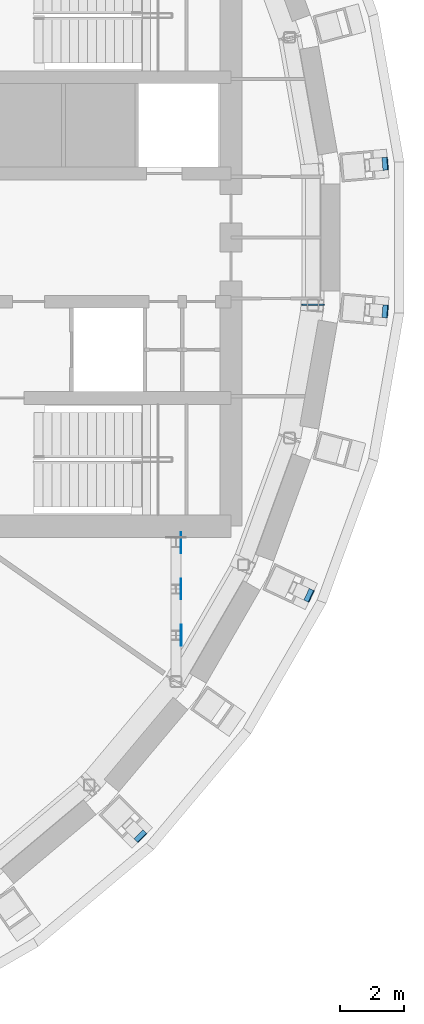
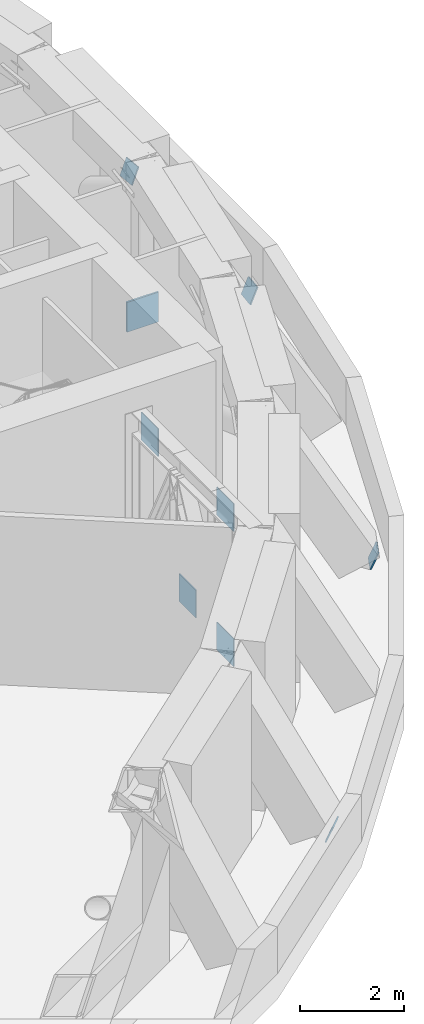
# One storey, part 18 of 20: 9 discrete accessories.
"""IFC4 building model written with IfcOpenShell, lengths in metres."""

from ifc_helpers import new_model, si_unit, direction, frame, origin, origin_2d, place, context, subcontext, project, spatial, rectangle, extrude, material, material_profile, profile_set, type_object, element, save


model = new_model("IFC4")

# Units and contexts
model_context = context("Model", 3, precision=1e-05, world=origin(), true_north=direction((0.0, 1.0)))
body_context = subcontext(model_context, "Body", "Model", "MODEL_VIEW")
ifc_project = project(units=[si_unit("LENGTHUNIT", "METRE"), si_unit("AREAUNIT", "SQUARE_METRE"), si_unit("VOLUMEUNIT", "CUBIC_METRE"), si_unit("PLANEANGLEUNIT", "RADIAN"), si_unit("MASSUNIT", "GRAM", prefix="KILO")], contexts=[model_context])

# Site, building, storey
site_placement = place(None, origin())
site = spatial("IfcSite", under=ifc_project, at=site_placement, CompositionType="ELEMENT")
building_placement = place(site_placement, origin())
building = spatial("IfcBuilding", under=site, at=building_placement, Name="Saqina Gate Tower", CompositionType="ELEMENT")
storey_placement = place(building_placement, frame((0.0, 0.0, 151.300048828125)))
storey = spatial("IfcBuildingStorey", under=building, at=storey_placement, Name="L43", CompositionType="ELEMENT", Elevation=151.300048828125)

# Discrete accessories
ifc_material_1 = material(Name="Steel S460", Category="steel")
ifc_material_profile_1 = material_profile(ifc_material_1, rectangle(XDim=0.39990234375, YDim=0.39990234375, at=origin_2d()), Name="STR-END PLATE-BOX 400x400x30")
ifc_profile_set_1 = profile_set([ifc_material_profile_1], Name="Steel S460")
discrete_accessory_type_1 = type_object("IfcDiscreteAccessoryType", Name="STR-END PLATE-BOX 400x400x30", PredefinedType="USERDEFINED", material=ifc_profile_set_1)
for number, where, z_axis, x_axis, name in (
    (1, (26.299560546875, 2.301025390625, 0.185302734375), (0.923688577389, 0.073568116783, -0.376014819114), (0.079394674954, -0.996843260292, 1.9407e-07), "END PLATE NODE TIE BEAM L43 01 FOOT START"),
    (2, (18.667724609375, -18.667724609375, 0.185302734375), (0.655033934707, -0.655033934707, -0.376644512457), (-0.707106781187, -0.707106781187, 0.0), "END PLATE NODE TIE BEAM L43 32 FOOT START"),
):
    element("IfcDiscreteAccessory", number, at=place(storey_placement, frame(where, z_axis=z_axis, x_axis=x_axis)), inside=storey, type_object=discrete_accessory_type_1, Name=name, ObjectType="END PLATE", PredefinedType="USERDEFINED", context=body_context, shape_type="SweptSolid", body=[
        extrude(rectangle(XDim=0.39990234375, YDim=0.39990234375, at=origin_2d()), origin(), (0.0, 0.0, 1.0), 0.02978515625),
    ])
discrete_accessory_1_placement = place(storey_placement, frame((23.926513671875, -11.1572265625, 0.185302734375), z_axis=(0.84017969682, -0.391540052887, -0.375225884017), x_axis=(-0.422404035423, -0.906407651588, -1.051573e-06)))
element("IfcDiscreteAccessory", 3, at=discrete_accessory_1_placement, inside=storey, type_object=discrete_accessory_type_1, Name="END PLATE NODE TIE BEAM L43 34 FOOT START", ObjectType="END PLATE", PredefinedType="USERDEFINED", context=body_context, shape_type="SweptSolid", body=[
    extrude(rectangle(XDim=0.39990234375, YDim=0.39990234375, at=origin_2d()), origin(), (0.0, 0.0, 1.0), 0.030029296875),
])
discrete_accessory_2_placement = place(storey_placement, frame((26.299560546875, -2.301025390625, 0.185302734375), z_axis=(0.923688577389, -0.073568116783, -0.376014819114), x_axis=(-0.079394674954, -0.996843260292, -1.9407e-07)))
element("IfcDiscreteAccessory", 4, at=discrete_accessory_2_placement, inside=storey, type_object=discrete_accessory_type_1, Name="END PLATE NODE TIE BEAM L43 36 FOOT START", ObjectType="END PLATE", PredefinedType="USERDEFINED", context=body_context, shape_type="SweptSolid", body=[
    extrude(rectangle(XDim=0.39990234375, YDim=0.39990234375, at=origin_2d()), origin(), (0.0, 0.0, 1.0), 0.02978515625),
])
ifc_material_2 = material(Name="Steel S460", Category="steel")
ifc_material_profile_2 = material_profile(ifc_material_2, rectangle(XDim=0.699951171875, YDim=0.699951171875, at=origin_2d()), Name="STR-END PLATE-BOX 700x700x40")
ifc_profile_set_2 = profile_set([ifc_material_profile_2], Name="Steel S460")
discrete_accessory_type_2 = type_object("IfcDiscreteAccessoryType", Name="STR-END PLATE-BOX 700x700x40", PredefinedType="USERDEFINED", material=ifc_profile_set_2)
discrete_accessory_3_placement = place(storey_placement, frame((24.05810546875, -2.07421875, 0.349853515625), z_axis=(0.0, -1.0, 0.0), x_axis=(-1.0, 0.0, 0.0)))
element("IfcDiscreteAccessory", 5, at=discrete_accessory_3_placement, inside=storey, type_object=discrete_accessory_type_2, Name="END PLATE BELT TRUSS L43 CHORD 082 START", ObjectType="END PLATE", PredefinedType="USERDEFINED", context=body_context, shape_type="SweptSolid", body=[
    extrude(rectangle(XDim=0.699951171875, YDim=0.699951171875, at=origin_2d()), origin(), (0.0, 0.0, 1.0), 0.0400390625),
])
ifc_material_3 = material(Name="Steel S460", Category="steel")
ifc_material_profile_3 = material_profile(ifc_material_3, rectangle(XDim=0.64990234375, YDim=0.64990234375, at=origin_2d()), Name="STR-END PLATE-GUSSET 650x650x20")
ifc_profile_set_3 = profile_set([ifc_material_profile_3], Name="Steel S460")
discrete_accessory_type_3 = type_object("IfcDiscreteAccessoryType", Name="STR-END PLATE-GUSSET 650x650x20", PredefinedType="USERDEFINED", material=ifc_profile_set_3)
for number, where, z_axis, x_axis, name in (
    (6, (19.9375, -12.4072265625, 0.261962890625), (1.0, 0.0, 0.0), (0.0, 1.0, 0.0), "GUSSET PLATE OUTRIGGER TRUSS L43 CHORD 133"),
    (7, (19.935546875, -9.51806640625, 3.426025390625), (1.0, 0.0, 0.0), (0.0, 1.0, 0.0), "GUSSET PLATE OUTRIGGER TRUSS L43 POST 137"),
    (8, (19.935546875, -10.962646484375, 0.52392578125), (1.0, 0.0, 0.0), (0.0, 1.0, 0.0), "GUSSET PLATE OUTRIGGER TRUSS L43 POST 138"),
    (9, (19.935546875, -12.4072265625, 3.426025390625), (1.0, 0.0, 0.0), (0.0, 1.0, 0.0), "GUSSET PLATE OUTRIGGER TRUSS L43 POST 139"),
):
    element("IfcDiscreteAccessory", number, at=place(storey_placement, frame(where, z_axis=z_axis, x_axis=x_axis)), inside=storey, type_object=discrete_accessory_type_3, Name=name, ObjectType="GUSSET PLATE", PredefinedType="USERDEFINED", context=body_context, shape_type="SweptSolid", body=[
        extrude(rectangle(XDim=0.64990234375, YDim=0.64990234375, at=origin_2d()), origin(), (0.0, 0.0, 1.0), 0.02001953125),
    ])

save(model, "model.ifc")
